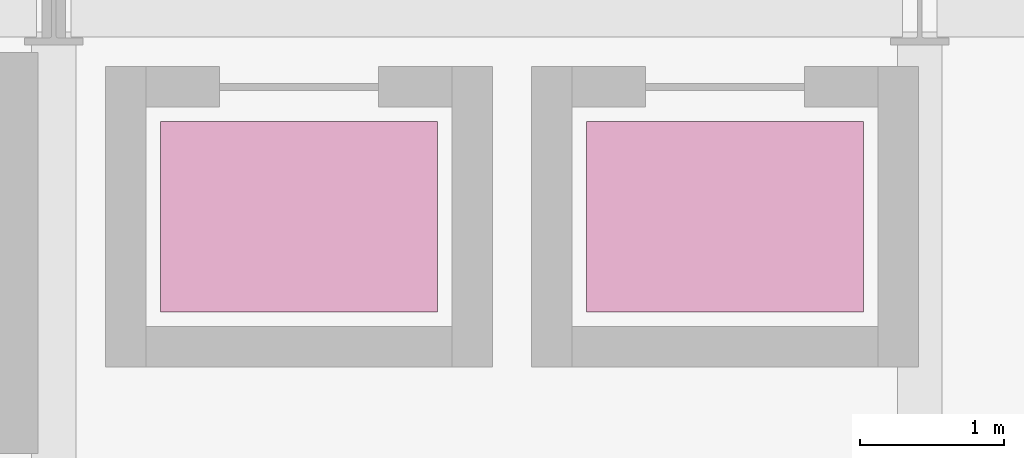
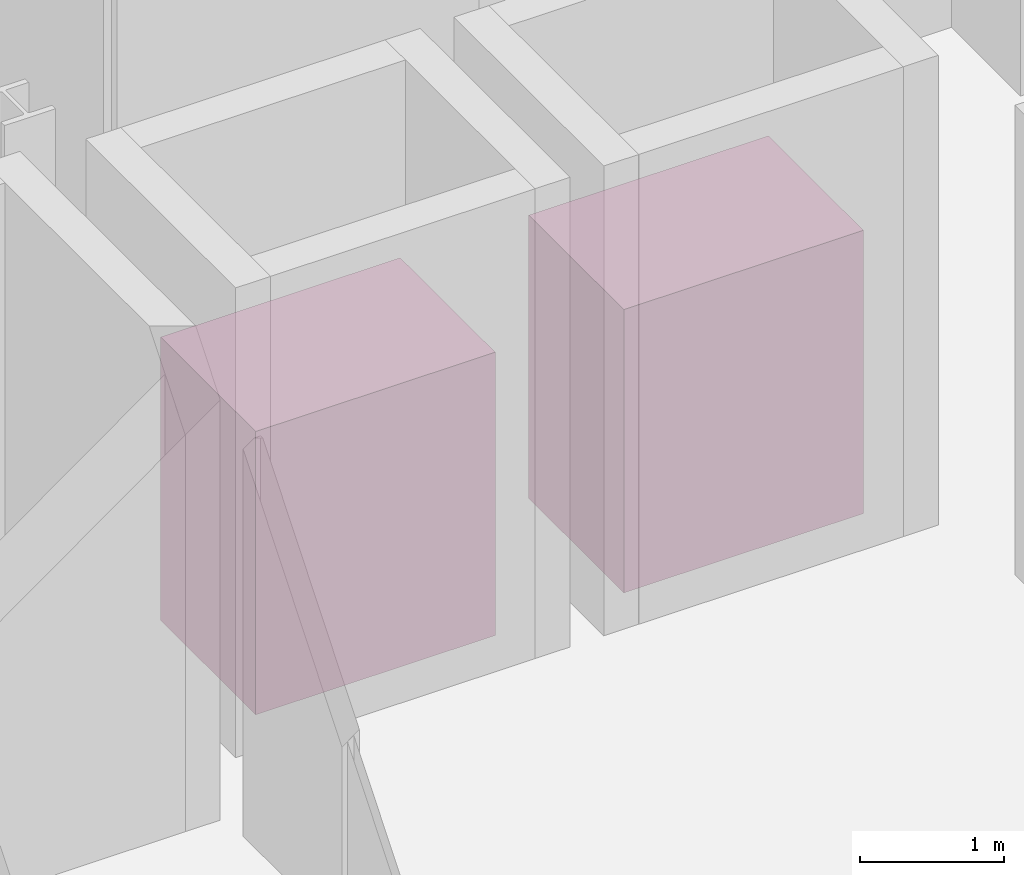
# One storey, part 32 of 32: 2 transport elements.
"""IFC4 building model written with IfcOpenShell, lengths in metres."""

from ifc_helpers import new_model, si_unit, direction, frame, origin, origin_2d, place, context, subcontext, project, spatial, rectangle, extrude, material, type_object, element, save


model = new_model("IFC4")

# Units and contexts
model_context = context("Model", 3, precision=1e-05, world=origin(), true_north=direction((0.0, 1.0)))
body_context = subcontext(model_context, "Body", "Model", "MODEL_VIEW")
ifc_project = project(units=[si_unit("LENGTHUNIT", "METRE"), si_unit("AREAUNIT", "SQUARE_METRE"), si_unit("VOLUMEUNIT", "CUBIC_METRE"), si_unit("PLANEANGLEUNIT", "RADIAN"), si_unit("MASSUNIT", "GRAM", prefix="KILO")], contexts=[model_context])

# Site, building, storey
site_placement = place(None, origin())
site = spatial("IfcSite", under=ifc_project, at=site_placement, CompositionType="ELEMENT")
building_placement = place(site_placement, origin())
building = spatial("IfcBuilding", under=site, at=building_placement, Name="Brevholm Reach", CompositionType="ELEMENT")
storey_placement = place(building_placement, frame((0.0, 0.0, 134.5)))
storey = spatial("IfcBuildingStorey", under=building, at=storey_placement, Name="L40", CompositionType="ELEMENT", Elevation=134.5)

# Transport elements
ifc_material = material(Name="Brushed Satin Stainless Steel EN 1.4301 Lift Cab", Category="steel")
transport_element_type = type_object("IfcTransportElementType", Name="LFT-PAS-1350", PredefinedType="ELEVATOR", material=ifc_material)
for number, where, z_axis, x_axis, name in (
    (1, (49.699951171875, 8.60009765625, 0.0), (0.0, 0.0, 1.0), (1.0, 0.0, 0.0), "Passenger Lift PL-H1"),
    (2, (52.64990234375, 8.60009765625, 0.0), (0.0, 0.0, 1.0), (1.0, 0.0, 0.0), "Passenger Lift PL-H2"),
):
    element("IfcTransportElement", number, at=place(storey_placement, frame(where, z_axis=z_axis, x_axis=x_axis)), inside=storey, type_object=transport_element_type, Name=name, PredefinedType="ELEVATOR", context=body_context, shape_type="SweptSolid", body=[
        extrude(rectangle(XDim=1.919921875, YDim=1.320068359375, at=origin_2d()), origin(), (0.0, 0.0, 1.0), 2.39990234375),
    ])

save(model, "model.ifc")
